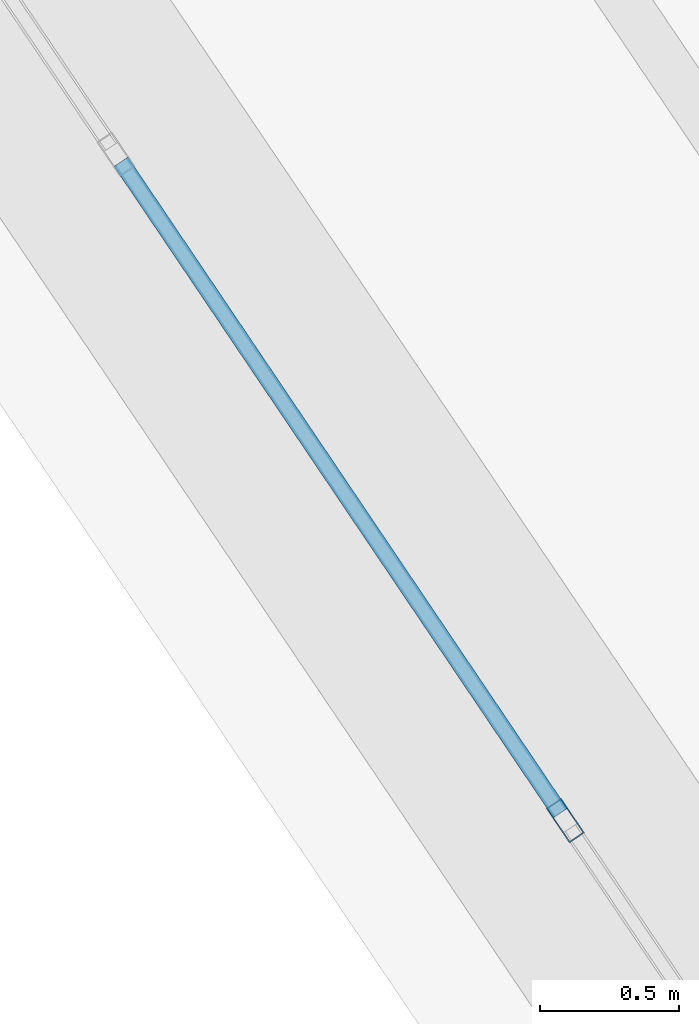
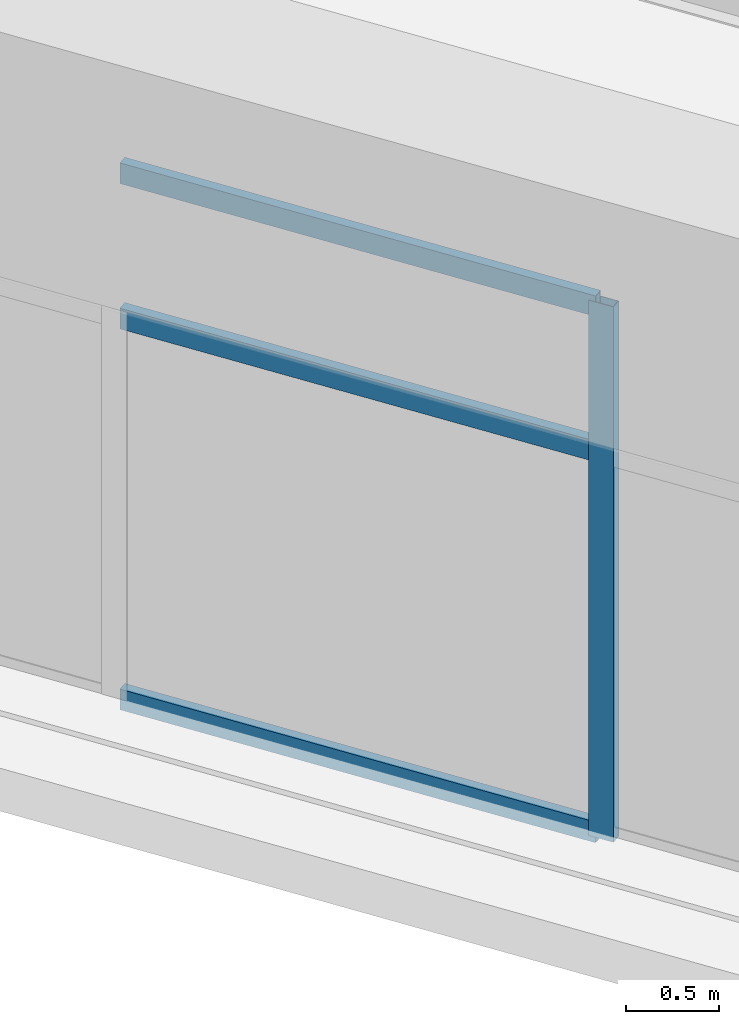
# One storey, part 4 of 40: 4 members, 1 element without a shape of its own.
"""IFC4 building model written with IfcOpenShell, lengths in metres."""

import ifcopenshell
import ifcopenshell.guid

model = None  # the IFC model being written
_history = None  # IfcOwnerHistory: only IFC2X3 demands one
_inside = {}  # id of a spatial element -> (the spatial element, [elements in it])
_under = {}  # id of a project, library or spatial element -> (it, [spatial elements below it])
_declared = {}  # id of a project -> (the project, [libraries it declares])
_typed = {}  # id of a type object -> (the type object, [elements of that type])
_made_of = {}  # id of a material, layer set ... -> (it, [elements and type objects made of it])


def new_model(schema):
    """Start an empty IFC model of exactly this schema.

    Asked for "IFC4X3", IfcOpenShell would pick the latest addendum, in which some entities
    have other attributes; the version numbers below select the first issue.
    IFC2X3 requires an IfcOwnerHistory on every rooted entity: one is made here for all.
    """
    global model, _history
    if schema == "IFC4X3":
        model = ifcopenshell.file(schema_version=(4, 3, 0, 0))
    else:
        model = ifcopenshell.file(schema=schema)
    _inside.clear()
    _under.clear()
    _declared.clear()
    _typed.clear()
    _made_of.clear()
    _history = None
    if model.schema == "IFC2X3":
        org = make("IfcOrganization", Name="unknown")
        user = make(
            "IfcPersonAndOrganization",
            ThePerson=make("IfcPerson", FamilyName="unknown"),
            TheOrganization=org,
        )
        app = make(
            "IfcApplication",
            ApplicationDeveloper=org,
            Version="unknown",
            ApplicationFullName="unknown",
            ApplicationIdentifier="unknown",
        )
        _history = make(
            "IfcOwnerHistory",
            OwningUser=user,
            OwningApplication=app,
            ChangeAction="ADDED",
            CreationDate=0,
        )
    return model


def make(cls, **values):
    """One entity of the class cls with the attributes given. An attribute that is None is left unset."""
    return model.create_entity(
        cls, **{name: value for name, value in values.items() if value is not None}
    )


def rooted(cls, **values):
    """An entity with a GlobalId (a new one), such as an element, a storey or a relation."""
    return make(cls, GlobalId=ifcopenshell.guid.new(), OwnerHistory=_history, **values)


def si_unit(unit_type, name, prefix=None):
    """IfcSIUnit, for example si_unit("LENGTHUNIT", "METRE", prefix="MILLI")."""
    return make("IfcSIUnit", UnitType=unit_type, Prefix=prefix, Name=name)


def assignment(units):
    """IfcUnitAssignment: the units of a project."""
    return None if units is None else make("IfcUnitAssignment", Units=units)


def point(xyz):
    """IfcCartesianPoint."""
    return None if xyz is None else make("IfcCartesianPoint", Coordinates=xyz)


def direction(xyz):
    """IfcDirection."""
    return None if xyz is None else make("IfcDirection", DirectionRatios=xyz)


def frame(location, z_axis=None, x_axis=None):
    """IfcAxis2Placement3D, a coordinate frame: its origin and axes. An axis left out is left unset."""
    return make(
        "IfcAxis2Placement3D",
        Location=point(location),
        Axis=direction(z_axis),
        RefDirection=direction(x_axis),
    )


def frame_2d(location, x_axis=None):
    """IfcAxis2Placement2D, a coordinate frame in the plane: its origin and x axis."""
    return make(
        "IfcAxis2Placement2D", Location=point(location), RefDirection=direction(x_axis)
    )


def origin():
    """The frame at (0, 0, 0) with its axes left unset."""
    return frame((0.0, 0.0, 0.0))


def origin_2d():
    """The frame at (0, 0) in the plane with its x axis left unset."""
    return frame_2d((0.0, 0.0))


def place(relative_to, where):
    """IfcLocalPlacement: puts the frame where relative to a parent placement (None: the world)."""
    return make(
        "IfcLocalPlacement", PlacementRelTo=relative_to, RelativePlacement=where
    )


def context(
    kind, dimensions, precision=None, world=None, true_north=None, identifier=None
):
    """IfcGeometricRepresentationContext, for example the 3D "Model" context."""
    return make(
        "IfcGeometricRepresentationContext",
        ContextIdentifier=identifier,
        ContextType=kind,
        CoordinateSpaceDimension=dimensions,
        Precision=precision,
        WorldCoordinateSystem=world,
        TrueNorth=true_north,
    )


def subcontext(parent, identifier, kind, view, scale=None):
    """IfcGeometricRepresentationSubContext, for example "Body" below "Model"."""
    return make(
        "IfcGeometricRepresentationSubContext",
        ContextIdentifier=identifier,
        ContextType=kind,
        ParentContext=parent,
        TargetScale=scale,
        TargetView=view,
    )


def project(units=None, contexts=None):
    """IfcProject with its units and contexts."""
    return rooted(
        "IfcProject",
        Name="project",
        RepresentationContexts=contexts,
        UnitsInContext=assignment(units),
    )


def spatial(cls, under=None, at=None, **own):
    """A site, building, storey or space (cls), placed at a placement, below another one or the project."""
    s = rooted(cls, ObjectPlacement=at, **own)
    if under is not None:
        _under.setdefault(under.id(), (under, []))[1].append(s)
    return s


def profile(cls, at=None, kind="AREA", **sizes):
    """A parametric profile (cls). Its sizes go by their IFC names, for example OverallWidth=200.0."""
    return make(cls, ProfileType=kind, Position=at, **sizes)


def hollow_rectangle(**sizes):
    """IfcRectangleHollowProfileDef."""
    return profile("IfcRectangleHollowProfileDef", **sizes)


def extrude(swept, where, along, depth):
    """IfcExtrudedAreaSolid: the profile swept, set in the frame where, extruded along a direction by depth."""
    return make(
        "IfcExtrudedAreaSolid",
        SweptArea=swept,
        Position=where,
        ExtrudedDirection=direction(along),
        Depth=depth,
    )


def shape(context_of_items, identifier, shape_type, items):
    """IfcShapeRepresentation: the items that make up one representation, for example the "Body"."""
    return make(
        "IfcShapeRepresentation",
        ContextOfItems=context_of_items,
        RepresentationIdentifier=identifier,
        RepresentationType=shape_type,
        Items=items,
    )


def source(mapping_origin, context_of_items, identifier, shape_type, items):
    """IfcRepresentationMap: a shape defined once, which mapped items show again and again."""
    return make(
        "IfcRepresentationMap",
        MappingOrigin=mapping_origin,
        MappedRepresentation=shape(context_of_items, identifier, shape_type, items),
    )


def transform(
    local_origin,
    x_axis=None,
    y_axis=None,
    z_axis=None,
    scale=None,
    scale2=None,
    scale3=None,
    uniform=True,
):
    """IfcCartesianTransformationOperator3D, or its non-uniform kind. x_axis, y_axis, z_axis: its Axis1, 2, 3."""
    if uniform:
        return make(
            "IfcCartesianTransformationOperator3D",
            Axis1=direction(x_axis),
            Axis2=direction(y_axis),
            LocalOrigin=point(local_origin),
            Scale=scale,
            Axis3=direction(z_axis),
        )
    return make(
        "IfcCartesianTransformationOperator3DnonUniform",
        Axis1=direction(x_axis),
        Axis2=direction(y_axis),
        LocalOrigin=point(local_origin),
        Scale=scale,
        Axis3=direction(z_axis),
        Scale2=scale2,
        Scale3=scale3,
    )


def mapped(mapping_source, mapping_target):
    """IfcMappedItem: shows the shape of a source again, moved by a transform."""
    return make(
        "IfcMappedItem", MappingSource=mapping_source, MappingTarget=mapping_target
    )


def material(Name=None, Category=None):
    """IfcMaterial."""
    return make("IfcMaterial", Name=Name, Category=Category)


def layer(
    of_material, thickness, ventilated=None, Name=None, Category=None, Priority=None
):
    """IfcMaterialLayer: one layer of a wall or slab, of a material (None: an air gap)."""
    return make(
        "IfcMaterialLayer",
        Material=of_material,
        LayerThickness=thickness,
        IsVentilated=ventilated,
        Name=Name,
        Category=Category,
        Priority=Priority,
    )


def layer_set(layers, Name=None):
    """IfcMaterialLayerSet."""
    return make("IfcMaterialLayerSet", MaterialLayers=layers, LayerSetName=Name)


def material_profile(
    of_material, cross_section, Name=None, Category=None, Priority=None
):
    """IfcMaterialProfile: a cross section and its material."""
    return make(
        "IfcMaterialProfile",
        Name=Name,
        Material=of_material,
        Profile=cross_section,
        Priority=Priority,
        Category=Category,
    )


def profile_set(profiles, Name=None, composite=None):
    """IfcMaterialProfileSet."""
    return make(
        "IfcMaterialProfileSet",
        Name=Name,
        MaterialProfiles=profiles,
        CompositeProfile=composite,
    )


def made_of(thing, what):
    """Note that an element or type object is made of a material, layer set ...; save() writes the relation."""
    if what is not None:
        _made_of.setdefault(what.id(), (what, []))[1].append(thing)
    return thing


def type_object(cls, material=None, **own):
    """A type object (cls), such as IfcWallType, which elements share."""
    return made_of(rooted(cls, **own), material)


def element(
    cls,
    number,
    at=None,
    inside=None,
    cuts=None,
    type_object=None,
    material=None,
    context=None,
    identifier="Body",
    shape_type=None,
    held_by="IfcProductDefinitionShape",
    body=None,
    shapes=None,
    **own,
):
    """One element of the class cls, such as IfcWall. Its Tag is "e" and its number.

    at: its placement. inside: the storey or other place that contains it. cuts: it is an
    opening in that element (IfcRelVoidsElement). A single representation is given by context,
    identifier, shape_type and body (its items); several are given by shapes. held_by: the class
    of the entity that holds the representations. save() writes the other relations.
    """
    e = rooted(cls, Tag="e%d" % number, ObjectPlacement=at, **own)
    if body is not None:
        shapes = [shape(context, identifier, shape_type, body)]
    if shapes is not None:
        e.Representation = make(held_by, Representations=shapes)
    if inside is not None:
        _inside.setdefault(inside.id(), (inside, []))[1].append(e)
    if cuts is not None:
        rooted(
            "IfcRelVoidsElement", RelatingBuildingElement=cuts, RelatedOpeningElement=e
        )
    if type_object is not None:
        _typed.setdefault(type_object.id(), (type_object, []))[1].append(e)
    return made_of(e, material)


def aggregate(whole, parts):
    """IfcRelAggregates: a whole, such as a stair, and the parts it consists of."""
    return rooted("IfcRelAggregates", RelatingObject=whole, RelatedObjects=parts)


def save(model, path):
    """Write the relations noted so far, then the file.

    IfcRelAggregates (storeys below a building ...), IfcRelContainedInSpatialStructure (elements
    in a storey), IfcRelDefinesByType, IfcRelAssociatesMaterial and IfcRelDeclares: one each for
    every whole, place, type object, material and project.
    """
    for whole, parts in _under.values():
        aggregate(whole, parts)
    for where, things in _inside.values():
        rooted(
            "IfcRelContainedInSpatialStructure",
            RelatedElements=things,
            RelatingStructure=where,
        )
    for kind, things in _typed.values():
        rooted("IfcRelDefinesByType", RelatedObjects=things, RelatingType=kind)
    for what, things in _made_of.values():
        rooted("IfcRelAssociatesMaterial", RelatedObjects=things, RelatingMaterial=what)
    for by, libraries in _declared.values():
        rooted("IfcRelDeclares", RelatingContext=by, RelatedDefinitions=libraries)
    model.write(path)


model = new_model("IFC4")

# Units and contexts
model_context = context("Model", 3, precision=1e-05, world=origin(), true_north=direction((0.0, 1.0)))
body_context = subcontext(model_context, "Body", "Model", "MODEL_VIEW")
ifc_project = project(units=[si_unit("LENGTHUNIT", "METRE"), si_unit("AREAUNIT", "SQUARE_METRE"), si_unit("VOLUMEUNIT", "CUBIC_METRE"), si_unit("PLANEANGLEUNIT", "RADIAN"), si_unit("MASSUNIT", "GRAM", prefix="KILO")], contexts=[model_context])

# Site, building, storey
site_placement = place(None, origin())
site = spatial("IfcSite", under=ifc_project, at=site_placement, CompositionType="ELEMENT")
building_placement = place(site_placement, origin())
building = spatial("IfcBuilding", under=site, at=building_placement, Name="Liaohun Quay Tower", CompositionType="ELEMENT")
storey_placement = place(building_placement, frame((0.0, 0.0, 351.0)))
storey = spatial("IfcBuildingStorey", under=building, at=storey_placement, Name="L91", CompositionType="ELEMENT", Elevation=351.0)

# Curtain wall, members
ifc_material_1 = material(Name="Observation gallery panoramic triple-glazed curtain wall")
ifc_layer = layer(ifc_material_1, 0.219970703125, Name="Observation gallery panoramic triple-glazed curtain wall")
ifc_layer_set = layer_set([ifc_layer], Name="Observation gallery panoramic triple-glazed curtain wall")
curtain_wall_type = type_object("IfcCurtainWallType", Name="CW-OBS-CRN", PredefinedType="NOTDEFINED", material=ifc_layer_set)
curtain_wall_placement = place(storey_placement, origin())
curtain_wall = element("IfcCurtainWall", 1, at=curtain_wall_placement, inside=storey, type_object=curtain_wall_type, Name="L91 Panoramic Belvedere Curtain Wall 06", PredefinedType="NOTDEFINED")
ifc_material_2 = material(Name="Anodised aluminium 6063-T6", Category="aluminium")
ifc_material_profile_1 = material_profile(ifc_material_2, hollow_rectangle(XDim=0.06494140625, YDim=0.14990234375, WallThickness=0.00390625, at=origin_2d()), Name="RHS150x65x4")
ifc_profile_set_1 = profile_set([ifc_material_profile_1], Name="Anodised aluminium 6063-T6")
member_type_1 = type_object("IfcMemberType", Name="MEM-CWM-SKY", PredefinedType="MULLION", material=ifc_profile_set_1)
shared_shape_1 = source(origin(), body_context, "Body", "SweptSolid", [
    extrude(hollow_rectangle(XDim=0.06494140625, YDim=0.14990234375, WallThickness=0.00390625, at=origin_2d()), origin(), (0.0, 0.0, 1.0), 3.5),
])
member_1_placement = place(storey_placement, frame((49.648193359375, 32.13720703125, 0.0), z_axis=(0.0, 0.0, 1.0), x_axis=(0.829027517821, 0.559207809937, 0.0)))
member_1 = element("IfcMember", 2, at=member_1_placement, type_object=member_type_1, Name="CW6 mullion 4", PredefinedType="MULLION", context=body_context, shape_type="MappedRepresentation", body=[
    mapped(shared_shape_1, transform((0.0, 0.0, 0.0), x_axis=(1.0, 0.0, 0.0), y_axis=(0.0, 1.0, 0.0), z_axis=(0.0, 0.0, 1.0), scale=1.0)),
])
ifc_material_profile_2 = material_profile(ifc_material_2, hollow_rectangle(XDim=0.06005859375, YDim=0.135009765625, WallThickness=0.00390625, at=origin_2d()), Name="RHS135x60x4")
ifc_profile_set_2 = profile_set([ifc_material_profile_2], Name="Anodised aluminium 6063-T6")
member_type_2 = type_object("IfcMemberType", Name="MEM-CWT-SKY", PredefinedType="USERDEFINED", material=ifc_profile_set_2)
shared_shape_2 = source(origin(), body_context, "Body", "SweptSolid", [
    extrude(hollow_rectangle(XDim=0.06005859375, YDim=0.135009765625, WallThickness=0.00390625, at=origin_2d()), origin(), (0.0, 0.0, 1.0), 2.835205078125),
])
member_2_placement = place(storey_placement, frame((48.044677734375, 34.5146484375, 0.030029296875), z_axis=(0.559222881453, -0.829017351362, 0.0), x_axis=(0.829017351362, 0.559222881453, 0.0)))
member_2 = element("IfcMember", 3, at=member_2_placement, type_object=member_type_2, Name="CW6 transom 3.1", ObjectType="TRANSOM", PredefinedType="USERDEFINED", context=body_context, shape_type="MappedRepresentation", body=[
    mapped(shared_shape_2, transform((0.0, 0.0, 0.0), x_axis=(1.0, 0.0, 0.0), y_axis=(0.0, 1.0, 0.0), z_axis=(0.0, 0.0, 1.0), scale=1.0)),
])
member_3_placement = place(storey_placement, frame((48.044677734375, 34.5146484375, 2.52001953125), z_axis=(0.559222881453, -0.829017351362, 0.0), x_axis=(0.829017351362, 0.559222881453, 0.0)))
member_3 = element("IfcMember", 4, at=member_3_placement, type_object=member_type_2, Name="CW6 transom 3.2", ObjectType="TRANSOM", PredefinedType="USERDEFINED", context=body_context, shape_type="MappedRepresentation", body=[
    mapped(shared_shape_2, transform((0.0, 0.0, 0.0), x_axis=(1.0, 0.0, 0.0), y_axis=(0.0, 1.0, 0.0), z_axis=(0.0, 0.0, 1.0), scale=1.0)),
])
member_4_placement = place(storey_placement, frame((48.044677734375, 34.5146484375, 3.469970703125), z_axis=(0.559222881453, -0.829017351362, 0.0), x_axis=(0.829017351362, 0.559222881453, 0.0)))
member_4 = element("IfcMember", 5, at=member_4_placement, type_object=member_type_2, Name="CW6 transom 3.3", ObjectType="TRANSOM", PredefinedType="USERDEFINED", context=body_context, shape_type="MappedRepresentation", body=[
    mapped(shared_shape_2, transform((0.0, 0.0, 0.0), x_axis=(1.0, 0.0, 0.0), y_axis=(0.0, 1.0, 0.0), z_axis=(0.0, 0.0, 1.0), scale=1.0)),
])
aggregate(curtain_wall, [member_1, member_2, member_3, member_4])

save(model, "model.ifc")
